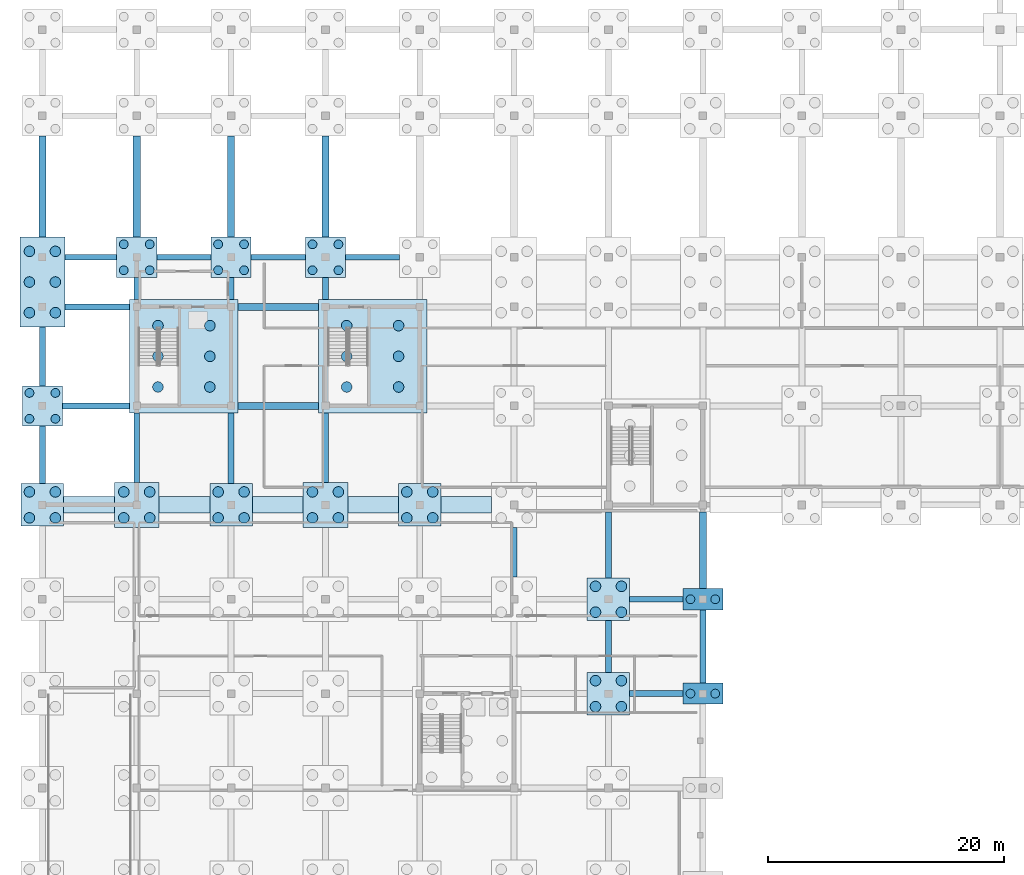
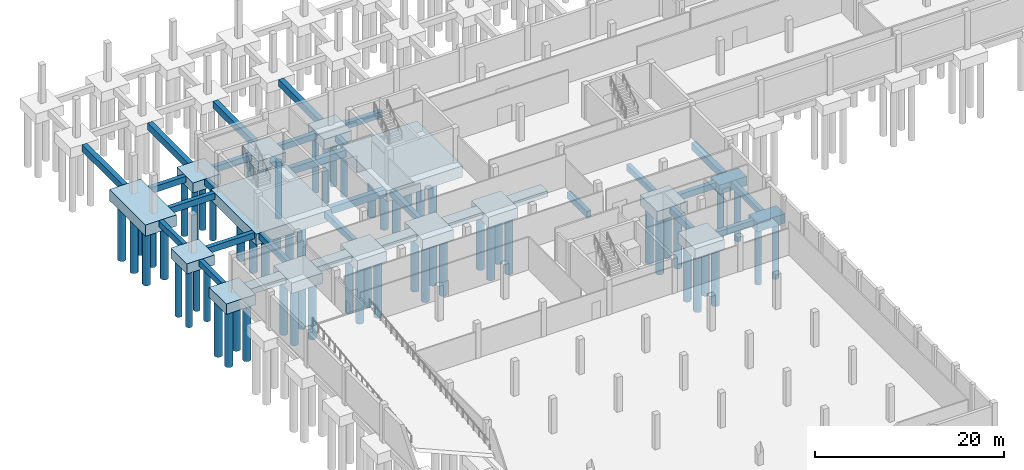
# One storey, part 4 of 22: 66 piles, 48 footings.
"""IFC4 building model written with IfcOpenShell, lengths in metres."""

from ifc_helpers import new_model, si_unit, direction, frame, origin, origin_2d, place, context, subcontext, project, spatial, polyline, rectangle, circle, outline, extrude, material, material_profile, profile_set, type_object, element, save


model = new_model("IFC4")

# Units and contexts
model_context = context("Model", 3, precision=1e-05, world=origin(), true_north=direction((0.0, 1.0)))
body_context = subcontext(model_context, "Body", "Model", "MODEL_VIEW")
ifc_project = project(units=[si_unit("LENGTHUNIT", "METRE"), si_unit("AREAUNIT", "SQUARE_METRE"), si_unit("VOLUMEUNIT", "CUBIC_METRE"), si_unit("PLANEANGLEUNIT", "RADIAN"), si_unit("MASSUNIT", "GRAM", prefix="KILO")], contexts=[model_context])

# Site, building, storey
site_placement = place(None, origin())
site = spatial("IfcSite", under=ifc_project, at=site_placement, CompositionType="ELEMENT")
building_placement = place(site_placement, origin())
building = spatial("IfcBuilding", under=site, at=building_placement, Name="Vharandega Faculty of Natural Sciences", CompositionType="ELEMENT")
storey_placement = place(building_placement, frame((0.0, 0.0, -4.5)))
storey = spatial("IfcBuildingStorey", under=building, at=storey_placement, Name="B01", CompositionType="ELEMENT", Elevation=-4.5)

# Piles
ifc_material_1 = material(Name="Concrete C35/45", Category="concrete")
ifc_material_profile_1 = material_profile(ifc_material_1, circle(Radius=0.375, at=origin_2d()), Name="PILE 750")
ifc_profile_set_1 = profile_set([ifc_material_profile_1], Name="Concrete C35/45")
pile_type_1 = type_object("IfcPileType", Name="Bored Pile 750", PredefinedType="BORED", material=ifc_profile_set_1)
for number, where, z_axis, x_axis, name in (
    (1, (-1.10009765625, 71.300048828125, -1.64990234375), (0.0, 0.0, -1.0), (1.0, 0.0, 0.0), "Bored Pile PL-1K-01"),
    (2, (1.10009765625, 71.300048828125, -1.64990234375), (0.0, 0.0, -1.0), (1.0, 0.0, 0.0), "Bored Pile PL-1K-02"),
    (3, (1.10009765625, 73.5, -1.64990234375), (0.0, 0.0, -1.0), (1.0, 0.0, 0.0), "Bored Pile PL-1K-03"),
    (4, (-1.10009765625, 73.5, -1.64990234375), (0.0, 0.0, -1.0), (1.0, 0.0, 0.0), "Bored Pile PL-1K-04"),
    (5, (6.89990234375, 83.89990234375, -1.64990234375), (0.0, 0.0, -1.0), (1.0, 0.0, 0.0), "Bored Pile PL-2M-01"),
    (6, (9.10009765625, 83.89990234375, -1.64990234375), (0.0, 0.0, -1.0), (1.0, 0.0, 0.0), "Bored Pile PL-2M-02"),
    (7, (9.10009765625, 86.10009765625, -1.64990234375), (0.0, 0.0, -1.0), (1.0, 0.0, 0.0), "Bored Pile PL-2M-03"),
    (8, (6.89990234375, 86.10009765625, -1.64990234375), (0.0, 0.0, -1.0), (1.0, 0.0, 0.0), "Bored Pile PL-2M-04"),
    (9, (14.89990234375, 83.89990234375, -1.64990234375), (0.0, 0.0, -1.0), (1.0, 0.0, 0.0), "Bored Pile PL-3M-01"),
    (10, (17.10009765625, 83.89990234375, -1.64990234375), (0.0, 0.0, -1.0), (1.0, 0.0, 0.0), "Bored Pile PL-3M-02"),
    (11, (17.10009765625, 86.10009765625, -1.64990234375), (0.0, 0.0, -1.0), (1.0, 0.0, 0.0), "Bored Pile PL-3M-03"),
    (12, (14.89990234375, 86.10009765625, -1.64990234375), (0.0, 0.0, -1.0), (1.0, 0.0, 0.0), "Bored Pile PL-3M-04"),
    (13, (22.89990234375, 83.89990234375, -1.64990234375), (0.0, 0.0, -1.0), (1.0, 0.0, 0.0), "Bored Pile PL-4M-01"),
    (14, (25.10009765625, 83.89990234375, -1.64990234375), (0.0, 0.0, -1.0), (1.0, 0.0, 0.0), "Bored Pile PL-4M-02"),
    (15, (25.10009765625, 86.10009765625, -1.64990234375), (0.0, 0.0, -1.0), (1.0, 0.0, 0.0), "Bored Pile PL-4M-03"),
    (16, (22.89990234375, 86.10009765625, -1.64990234375), (0.0, 0.0, -1.0), (1.0, 0.0, 0.0), "Bored Pile PL-4M-04"),
):
    element("IfcPile", number, at=place(storey_placement, frame(where, z_axis=z_axis, x_axis=x_axis)), inside=storey, type_object=pile_type_1, Name=name, PredefinedType="BORED", context=body_context, shape_type="SweptSolid", body=[
        extrude(circle(Radius=0.375, at=origin_2d()), origin(), (0.0, 0.0, 1.0), 7.35009765625),
    ])
for number, where, z_axis, x_axis, name in (
    (17, (54.949951171875, 48.0, -1.550048828125), (0.0, 0.0, -1.0), (1.0, 0.0, 0.0), "Bored Pile PL-8G-01"),
    (18, (57.050048828125, 48.0, -1.550048828125), (0.0, 0.0, -1.0), (1.0, 0.0, 0.0), "Bored Pile PL-8G-02"),
    (19, (54.949951171875, 56.0, -1.550048828125), (0.0, 0.0, -1.0), (1.0, 0.0, 0.0), "Bored Pile PL-8H-01"),
    (20, (57.050048828125, 56.0, -1.550048828125), (0.0, 0.0, -1.0), (1.0, 0.0, 0.0), "Bored Pile PL-8H-02"),
):
    element("IfcPile", number, at=place(storey_placement, frame(where, z_axis=z_axis, x_axis=x_axis)), inside=storey, type_object=pile_type_1, Name=name, PredefinedType="BORED", context=body_context, shape_type="SweptSolid", body=[
        extrude(circle(Radius=0.375, at=origin_2d()), origin(), (0.0, 0.0, 1.0), 7.449951171875),
    ])
ifc_material_2 = material(Name="Concrete C35/45", Category="concrete")
ifc_material_profile_2 = material_profile(ifc_material_2, circle(Radius=0.449951171875, at=origin_2d()), Name="PILE 900")
ifc_profile_set_2 = profile_set([ifc_material_profile_2], Name="Concrete C35/45")
pile_type_2 = type_object("IfcPileType", Name="Bored Pile 900", PredefinedType="BORED", material=ifc_profile_set_2)
for number, where, z_axis, x_axis, name in (
    (21, (9.800048828125, 74.0, -1.800048828125), (0.0, 0.0, -1.0), (1.0, 0.0, 0.0), "Bored Pile PL-C4-01"),
    (22, (9.800048828125, 76.60009765625, -1.800048828125), (0.0, 0.0, -1.0), (1.0, 0.0, 0.0), "Bored Pile PL-C4-02"),
    (23, (9.800048828125, 79.199951171875, -1.800048828125), (0.0, 0.0, -1.0), (1.0, 0.0, 0.0), "Bored Pile PL-C4-03"),
    (24, (14.199951171875, 74.0, -1.800048828125), (0.0, 0.0, -1.0), (1.0, 0.0, 0.0), "Bored Pile PL-C4-04"),
    (25, (14.199951171875, 76.60009765625, -1.800048828125), (0.0, 0.0, -1.0), (1.0, 0.0, 0.0), "Bored Pile PL-C4-05"),
    (26, (14.199951171875, 79.199951171875, -1.800048828125), (0.0, 0.0, -1.0), (1.0, 0.0, 0.0), "Bored Pile PL-C4-06"),
    (27, (25.800048828125, 74.0, -1.800048828125), (0.0, 0.0, -1.0), (1.0, 0.0, 0.0), "Bored Pile PL-C6-01"),
    (28, (25.800048828125, 76.60009765625, -1.800048828125), (0.0, 0.0, -1.0), (1.0, 0.0, 0.0), "Bored Pile PL-C6-02"),
    (29, (25.800048828125, 79.199951171875, -1.800048828125), (0.0, 0.0, -1.0), (1.0, 0.0, 0.0), "Bored Pile PL-C6-03"),
    (30, (30.199951171875, 74.0, -1.800048828125), (0.0, 0.0, -1.0), (1.0, 0.0, 0.0), "Bored Pile PL-C6-04"),
    (31, (30.199951171875, 76.60009765625, -1.800048828125), (0.0, 0.0, -1.0), (1.0, 0.0, 0.0), "Bored Pile PL-C6-05"),
    (32, (30.199951171875, 79.199951171875, -1.800048828125), (0.0, 0.0, -1.0), (1.0, 0.0, 0.0), "Bored Pile PL-C6-06"),
    (33, (-1.10009765625, 80.300048828125, -1.800048828125), (0.0, 0.0, -1.0), (1.0, 0.0, 0.0), "Bored Pile PL-1LM-01"),
    (34, (-1.10009765625, 82.89990234375, -1.800048828125), (0.0, 0.0, -1.0), (1.0, 0.0, 0.0), "Bored Pile PL-1LM-02"),
    (35, (-1.10009765625, 85.5, -1.800048828125), (0.0, 0.0, -1.0), (1.0, 0.0, 0.0), "Bored Pile PL-1LM-03"),
    (36, (1.10009765625, 80.300048828125, -1.800048828125), (0.0, 0.0, -1.0), (1.0, 0.0, 0.0), "Bored Pile PL-1LM-04"),
    (37, (1.10009765625, 82.89990234375, -1.800048828125), (0.0, 0.0, -1.0), (1.0, 0.0, 0.0), "Bored Pile PL-1LM-05"),
    (38, (1.10009765625, 85.5, -1.800048828125), (0.0, 0.0, -1.0), (1.0, 0.0, 0.0), "Bored Pile PL-1LM-06"),
):
    element("IfcPile", number, at=place(storey_placement, frame(where, z_axis=z_axis, x_axis=x_axis)), inside=storey, type_object=pile_type_2, Name=name, PredefinedType="BORED", context=body_context, shape_type="SweptSolid", body=[
        extrude(circle(Radius=0.449951171875, at=origin_2d()), origin(), (0.0, 0.0, 1.0), 7.199951171875),
    ])
for number, where, z_axis, x_axis, name in (
    (39, (-1.10009765625, 62.89990234375, -1.669921875), (0.0, 0.0, -1.0), (1.0, 0.0, 0.0), "Bored Pile PL-1J-01"),
    (40, (1.10009765625, 62.89990234375, -1.669921875), (0.0, 0.0, -1.0), (1.0, 0.0, 0.0), "Bored Pile PL-1J-02"),
    (41, (1.10009765625, 65.10009765625, -1.669921875), (0.0, 0.0, -1.0), (1.0, 0.0, 0.0), "Bored Pile PL-1J-03"),
    (42, (-1.10009765625, 65.10009765625, -1.669921875), (0.0, 0.0, -1.0), (1.0, 0.0, 0.0), "Bored Pile PL-1J-04"),
):
    element("IfcPile", number, at=place(storey_placement, frame(where, z_axis=z_axis, x_axis=x_axis)), inside=storey, type_object=pile_type_2, Name=name, PredefinedType="BORED", context=body_context, shape_type="SweptSolid", body=[
        extrude(circle(Radius=0.449951171875, at=origin_2d()), origin(), (0.0, 0.0, 1.0), 7.330078125),
    ])
for number, where, z_axis, x_axis, name in (
    (43, (6.89990234375, 62.89990234375, -1.699951171875), (0.0, 0.0, -1.0), (1.0, 0.0, 0.0), "Bored Pile PL-2J-01"),
    (44, (9.10009765625, 62.89990234375, -1.699951171875), (0.0, 0.0, -1.0), (1.0, 0.0, 0.0), "Bored Pile PL-2J-02"),
    (45, (9.10009765625, 65.10009765625, -1.699951171875), (0.0, 0.0, -1.0), (1.0, 0.0, 0.0), "Bored Pile PL-2J-03"),
    (46, (6.89990234375, 65.10009765625, -1.699951171875), (0.0, 0.0, -1.0), (1.0, 0.0, 0.0), "Bored Pile PL-2J-04"),
):
    element("IfcPile", number, at=place(storey_placement, frame(where, z_axis=z_axis, x_axis=x_axis)), inside=storey, type_object=pile_type_2, Name=name, PredefinedType="BORED", context=body_context, shape_type="SweptSolid", body=[
        extrude(circle(Radius=0.449951171875, at=origin_2d()), origin(), (0.0, 0.0, 1.0), 7.300048828125),
    ])
for number, where, z_axis, x_axis, name in (
    (47, (14.89990234375, 62.89990234375, -1.669921875), (0.0, 0.0, -1.0), (1.0, 0.0, 0.0), "Bored Pile PL-3J-01"),
    (48, (17.10009765625, 62.89990234375, -1.669921875), (0.0, 0.0, -1.0), (1.0, 0.0, 0.0), "Bored Pile PL-3J-02"),
    (49, (17.10009765625, 65.10009765625, -1.669921875), (0.0, 0.0, -1.0), (1.0, 0.0, 0.0), "Bored Pile PL-3J-03"),
    (50, (14.89990234375, 65.10009765625, -1.669921875), (0.0, 0.0, -1.0), (1.0, 0.0, 0.0), "Bored Pile PL-3J-04"),
):
    element("IfcPile", number, at=place(storey_placement, frame(where, z_axis=z_axis, x_axis=x_axis)), inside=storey, type_object=pile_type_2, Name=name, PredefinedType="BORED", context=body_context, shape_type="SweptSolid", body=[
        extrude(circle(Radius=0.449951171875, at=origin_2d()), origin(), (0.0, 0.0, 1.0), 7.330078125),
    ])
for number, where, z_axis, x_axis, name in (
    (51, (22.89990234375, 62.89990234375, -1.699951171875), (0.0, 0.0, -1.0), (1.0, 0.0, 0.0), "Bored Pile PL-4J-01"),
    (52, (25.10009765625, 62.89990234375, -1.699951171875), (0.0, 0.0, -1.0), (1.0, 0.0, 0.0), "Bored Pile PL-4J-02"),
    (53, (25.10009765625, 65.10009765625, -1.699951171875), (0.0, 0.0, -1.0), (1.0, 0.0, 0.0), "Bored Pile PL-4J-03"),
    (54, (22.89990234375, 65.10009765625, -1.699951171875), (0.0, 0.0, -1.0), (1.0, 0.0, 0.0), "Bored Pile PL-4J-04"),
):
    element("IfcPile", number, at=place(storey_placement, frame(where, z_axis=z_axis, x_axis=x_axis)), inside=storey, type_object=pile_type_2, Name=name, PredefinedType="BORED", context=body_context, shape_type="SweptSolid", body=[
        extrude(circle(Radius=0.449951171875, at=origin_2d()), origin(), (0.0, 0.0, 1.0), 7.300048828125),
    ])
for number, where, z_axis, x_axis, name in (
    (55, (30.89990234375, 62.89990234375, -1.669921875), (0.0, 0.0, -1.0), (1.0, 0.0, 0.0), "Bored Pile PL-5J-01"),
    (56, (33.10009765625, 62.89990234375, -1.669921875), (0.0, 0.0, -1.0), (1.0, 0.0, 0.0), "Bored Pile PL-5J-02"),
    (57, (33.10009765625, 65.10009765625, -1.669921875), (0.0, 0.0, -1.0), (1.0, 0.0, 0.0), "Bored Pile PL-5J-03"),
    (58, (30.89990234375, 65.10009765625, -1.669921875), (0.0, 0.0, -1.0), (1.0, 0.0, 0.0), "Bored Pile PL-5J-04"),
    (59, (46.89990234375, 46.89990234375, -1.669921875), (0.0, 0.0, -1.0), (1.0, 0.0, 0.0), "Bored Pile PL-7G-01"),
    (60, (49.10009765625, 46.89990234375, -1.669921875), (0.0, 0.0, -1.0), (1.0, 0.0, 0.0), "Bored Pile PL-7G-02"),
    (61, (49.10009765625, 49.10009765625, -1.669921875), (0.0, 0.0, -1.0), (1.0, 0.0, 0.0), "Bored Pile PL-7G-03"),
    (62, (46.89990234375, 49.10009765625, -1.669921875), (0.0, 0.0, -1.0), (1.0, 0.0, 0.0), "Bored Pile PL-7G-04"),
    (63, (46.89990234375, 54.89990234375, -1.669921875), (0.0, 0.0, -1.0), (1.0, 0.0, 0.0), "Bored Pile PL-7H-01"),
    (64, (49.10009765625, 54.89990234375, -1.669921875), (0.0, 0.0, -1.0), (1.0, 0.0, 0.0), "Bored Pile PL-7H-02"),
    (65, (49.10009765625, 57.10009765625, -1.669921875), (0.0, 0.0, -1.0), (1.0, 0.0, 0.0), "Bored Pile PL-7H-03"),
    (66, (46.89990234375, 57.10009765625, -1.669921875), (0.0, 0.0, -1.0), (1.0, 0.0, 0.0), "Bored Pile PL-7H-04"),
):
    element("IfcPile", number, at=place(storey_placement, frame(where, z_axis=z_axis, x_axis=x_axis)), inside=storey, type_object=pile_type_2, Name=name, PredefinedType="BORED", context=body_context, shape_type="SweptSolid", body=[
        extrude(circle(Radius=0.449951171875, at=origin_2d()), origin(), (0.0, 0.0, 1.0), 7.330078125),
    ])

# Footings
ifc_material_3 = material(Name="Concrete C35/45", Category="concrete")
footing_type_1 = type_object("IfcFootingType", Name="Ground Tie Beam 500x800", PredefinedType="FOOTING_BEAM", material=ifc_material_3)
footing_1_placement = place(storey_placement, frame((0.0, 0.0, -1.25)))
element("IfcFooting", 67, at=footing_1_placement, inside=storey, type_object=footing_type_1, Name="Substructure Tie FND-GB-X034", PredefinedType="FOOTING_BEAM", context=body_context, shape_type="SweptSolid", body=[
    extrude(outline(polyline([(49.800048828125, 47.75), (54.300048828125, 47.75), (54.300048828125, 48.25), (49.800048828125, 48.25), (49.800048828125, 47.75)])), origin(), (0.0, 0.0, 1.0), 0.800048828125),
])
footing_2_placement = place(storey_placement, frame((0.0, 0.0, -1.25)))
element("IfcFooting", 68, at=footing_2_placement, inside=storey, type_object=footing_type_1, Name="Substructure Tie FND-GB-X041", PredefinedType="FOOTING_BEAM", context=body_context, shape_type="SweptSolid", body=[
    extrude(outline(polyline([(49.800048828125, 55.75), (54.300048828125, 55.75), (54.300048828125, 56.25), (49.800048828125, 56.25), (49.800048828125, 55.75)])), origin(), (0.0, 0.0, 1.0), 0.800048828125),
])
footing_3_placement = place(storey_placement, frame((0.0, 0.0, -1.25)))
element("IfcFooting", 69, at=footing_3_placement, inside=storey, type_object=footing_type_1, Name="Substructure Tie FND-GB-X052", PredefinedType="FOOTING_BEAM", context=body_context, shape_type="SweptSolid", body=[
    extrude(outline(polyline([(1.699951171875, 72.14990234375), (7.39990234375, 72.14990234375), (7.39990234375, 72.64990234375), (1.699951171875, 72.64990234375), (1.699951171875, 72.14990234375)])), origin(), (0.0, 0.0, 1.0), 0.800048828125),
])
footing_4_placement = place(storey_placement, frame((0.0, 0.0, -1.25)))
element("IfcFooting", 70, at=footing_4_placement, inside=storey, type_object=footing_type_1, Name="Substructure Tie FND-GB-X064", PredefinedType="FOOTING_BEAM", context=body_context, shape_type="SweptSolid", body=[
    extrude(outline(polyline([(1.89990234375, 80.550048828125), (7.39990234375, 80.550048828125), (7.39990234375, 81.050048828125), (1.89990234375, 81.050048828125), (1.89990234375, 80.550048828125)])), origin(), (0.0, 0.0, 1.0), 0.800048828125),
])
footing_5_placement = place(storey_placement, frame((0.0, 0.0, -1.25)))
element("IfcFooting", 71, at=footing_5_placement, inside=storey, type_object=footing_type_1, Name="Substructure Tie FND-GB-X079", PredefinedType="FOOTING_BEAM", context=body_context, shape_type="SweptSolid", body=[
    extrude(outline(polyline([(1.89990234375, 84.75), (6.300048828125, 84.75), (6.300048828125, 85.25), (1.89990234375, 85.25), (1.89990234375, 84.75)])), origin(), (0.0, 0.0, 1.0), 0.800048828125),
])
footing_6_placement = place(storey_placement, frame((0.0, 0.0, -1.25)))
element("IfcFooting", 72, at=footing_6_placement, inside=storey, type_object=footing_type_1, Name="Substructure Tie FND-GB-X080", PredefinedType="FOOTING_BEAM", context=body_context, shape_type="SweptSolid", body=[
    extrude(outline(polyline([(9.699951171875, 84.75), (14.300048828125, 84.75), (14.300048828125, 85.25), (9.699951171875, 85.25), (9.699951171875, 84.75)])), origin(), (0.0, 0.0, 1.0), 0.800048828125),
])
footing_7_placement = place(storey_placement, frame((0.0, 0.0, -1.25)))
element("IfcFooting", 73, at=footing_7_placement, inside=storey, type_object=footing_type_1, Name="Substructure Tie FND-GB-X081", PredefinedType="FOOTING_BEAM", context=body_context, shape_type="SweptSolid", body=[
    extrude(outline(polyline([(17.699951171875, 84.75), (22.300048828125, 84.75), (22.300048828125, 85.25), (17.699951171875, 85.25), (17.699951171875, 84.75)])), origin(), (0.0, 0.0, 1.0), 0.800048828125),
])
footing_8_placement = place(storey_placement, frame((0.0, 0.0, -1.25)))
element("IfcFooting", 74, at=footing_8_placement, inside=storey, type_object=footing_type_1, Name="Substructure Tie FND-GB-X082", PredefinedType="FOOTING_BEAM", context=body_context, shape_type="SweptSolid", body=[
    extrude(outline(polyline([(25.699951171875, 84.75), (30.300048828125, 84.75), (30.300048828125, 85.25), (25.699951171875, 85.25), (25.699951171875, 84.75)])), origin(), (0.0, 0.0, 1.0), 0.800048828125),
])
footing_9_placement = place(storey_placement, frame((0.0, 0.0, -1.25)))
element("IfcFooting", 75, at=footing_9_placement, inside=storey, type_object=footing_type_1, Name="Substructure Tie FND-GB-Y134", PredefinedType="FOOTING_BEAM", context=body_context, shape_type="SweptSolid", body=[
    extrude(outline(polyline([(-0.25, 65.800048828125), (0.25, 65.800048828125), (0.25, 70.699951171875), (-0.25, 70.699951171875), (-0.25, 65.800048828125)])), origin(), (0.0, 0.0, 1.0), 0.800048828125),
])
footing_10_placement = place(storey_placement, frame((0.0, 0.0, -1.25)))
element("IfcFooting", 76, at=footing_10_placement, inside=storey, type_object=footing_type_1, Name="Substructure Tie FND-GB-Y135", PredefinedType="FOOTING_BEAM", context=body_context, shape_type="SweptSolid", body=[
    extrude(outline(polyline([(-0.25, 74.10009765625), (0.25, 74.10009765625), (0.25, 79.10009765625), (-0.25, 79.10009765625), (-0.25, 74.10009765625)])), origin(), (0.0, 0.0, 1.0), 0.800048828125),
])
footing_11_placement = place(storey_placement, frame((0.0, 0.0, -1.25)))
element("IfcFooting", 77, at=footing_11_placement, inside=storey, type_object=footing_type_1, Name="Substructure Tie FND-GB-Y146", PredefinedType="FOOTING_BEAM", context=body_context, shape_type="SweptSolid", body=[
    extrude(outline(polyline([(7.75, 65.89990234375), (8.25, 65.89990234375), (8.25, 71.800048828125), (7.75, 71.800048828125), (7.75, 65.89990234375)])), origin(), (0.0, 0.0, 1.0), 0.800048828125),
])
footing_12_placement = place(storey_placement, frame((0.0, 0.0, -1.25)))
element("IfcFooting", 78, at=footing_12_placement, inside=storey, type_object=footing_type_1, Name="Substructure Tie FND-GB-Y147", PredefinedType="FOOTING_BEAM", context=body_context, shape_type="SweptSolid", body=[
    extrude(outline(polyline([(7.75, 81.39990234375), (8.25, 81.39990234375), (8.25, 83.300048828125), (7.75, 83.300048828125), (7.75, 81.39990234375)])), origin(), (0.0, 0.0, 1.0), 0.800048828125),
])
footing_13_placement = place(storey_placement, frame((0.0, 0.0, -1.25)))
element("IfcFooting", 79, at=footing_13_placement, inside=storey, type_object=footing_type_1, Name="Substructure Tie FND-GB-Y158", PredefinedType="FOOTING_BEAM", context=body_context, shape_type="SweptSolid", body=[
    extrude(outline(polyline([(15.75, 65.800048828125), (16.25, 65.800048828125), (16.25, 71.800048828125), (15.75, 71.800048828125), (15.75, 65.800048828125)])), origin(), (0.0, 0.0, 1.0), 0.800048828125),
])
footing_14_placement = place(storey_placement, frame((0.0, 0.0, -1.25)))
element("IfcFooting", 80, at=footing_14_placement, inside=storey, type_object=footing_type_1, Name="Substructure Tie FND-GB-Y159", PredefinedType="FOOTING_BEAM", context=body_context, shape_type="SweptSolid", body=[
    extrude(outline(polyline([(15.75, 81.39990234375), (16.25, 81.39990234375), (16.25, 83.300048828125), (15.75, 83.300048828125), (15.75, 81.39990234375)])), origin(), (0.0, 0.0, 1.0), 0.800048828125),
])
footing_15_placement = place(storey_placement, frame((0.0, 0.0, -1.25)))
element("IfcFooting", 81, at=footing_15_placement, inside=storey, type_object=footing_type_1, Name="Substructure Tie FND-GB-Y170", PredefinedType="FOOTING_BEAM", context=body_context, shape_type="SweptSolid", body=[
    extrude(outline(polyline([(23.75, 65.89990234375), (24.25, 65.89990234375), (24.25, 71.800048828125), (23.75, 71.800048828125), (23.75, 65.89990234375)])), origin(), (0.0, 0.0, 1.0), 0.800048828125),
])
footing_16_placement = place(storey_placement, frame((0.0, 0.0, -1.25)))
element("IfcFooting", 82, at=footing_16_placement, inside=storey, type_object=footing_type_1, Name="Substructure Tie FND-GB-Y171", PredefinedType="FOOTING_BEAM", context=body_context, shape_type="SweptSolid", body=[
    extrude(outline(polyline([(23.75, 81.39990234375), (24.25, 81.39990234375), (24.25, 83.300048828125), (23.75, 83.300048828125), (23.75, 81.39990234375)])), origin(), (0.0, 0.0, 1.0), 0.800048828125),
])
footing_17_placement = place(storey_placement, frame((0.0, 0.0, -1.25)))
element("IfcFooting", 83, at=footing_17_placement, inside=storey, type_object=footing_type_1, Name="Substructure Tie FND-GB-Y191", PredefinedType="FOOTING_BEAM", context=body_context, shape_type="SweptSolid", body=[
    extrude(outline(polyline([(39.75, 57.89990234375), (40.25, 57.89990234375), (40.25, 62.10009765625), (39.75, 62.10009765625), (39.75, 57.89990234375)])), origin(), (0.0, 0.0, 1.0), 0.800048828125),
])
footing_18_placement = place(storey_placement, frame((0.0, 0.0, -1.25)))
element("IfcFooting", 84, at=footing_18_placement, inside=storey, type_object=footing_type_1, Name="Substructure Tie FND-GB-Y202", PredefinedType="FOOTING_BEAM", context=body_context, shape_type="SweptSolid", body=[
    extrude(outline(polyline([(47.75, 49.800048828125), (48.25, 49.800048828125), (48.25, 54.199951171875), (47.75, 54.199951171875), (47.75, 49.800048828125)])), origin(), (0.0, 0.0, 1.0), 0.800048828125),
])
footing_19_placement = place(storey_placement, frame((0.0, 0.0, -1.25)))
element("IfcFooting", 85, at=footing_19_placement, inside=storey, type_object=footing_type_1, Name="Substructure Tie FND-GB-Y203", PredefinedType="FOOTING_BEAM", context=body_context, shape_type="SweptSolid", body=[
    extrude(outline(polyline([(47.75, 57.800048828125), (48.25, 57.800048828125), (48.25, 63.39990234375), (47.75, 63.39990234375), (47.75, 57.800048828125)])), origin(), (0.0, 0.0, 1.0), 0.800048828125),
])
footing_20_placement = place(storey_placement, frame((0.0, 0.0, -1.25)))
element("IfcFooting", 86, at=footing_20_placement, inside=storey, type_object=footing_type_1, Name="Substructure Tie FND-GB-Y213", PredefinedType="FOOTING_BEAM", context=body_context, shape_type="SweptSolid", body=[
    extrude(outline(polyline([(55.75, 48.89990234375), (56.25, 48.89990234375), (56.25, 55.10009765625), (55.75, 55.10009765625), (55.75, 48.89990234375)])), origin(), (0.0, 0.0, 1.0), 0.800048828125),
])
ifc_material_4 = material(Name="Concrete C35/45", Category="concrete")
footing_type_2 = type_object("IfcFootingType", Name="Ground Tie Beam 600x900", PredefinedType="FOOTING_BEAM", material=ifc_material_4)
footing_21_placement = place(storey_placement, frame((0.0, 0.0, -1.35009765625)))
element("IfcFooting", 87, at=footing_21_placement, inside=storey, type_object=footing_type_2, Name="Substructure Tie FND-GB-X053", PredefinedType="FOOTING_BEAM", context=body_context, shape_type="SweptSolid", body=[
    extrude(outline(polyline([(16.60009765625, 72.10009765625), (23.39990234375, 72.10009765625), (23.39990234375, 72.699951171875), (16.60009765625, 72.699951171875), (16.60009765625, 72.10009765625)])), origin(), (0.0, 0.0, 1.0), 0.900146484375),
])
footing_22_placement = place(storey_placement, frame((0.0, 0.0, -1.35009765625)))
element("IfcFooting", 88, at=footing_22_placement, inside=storey, type_object=footing_type_2, Name="Substructure Tie FND-GB-X065", PredefinedType="FOOTING_BEAM", context=body_context, shape_type="SweptSolid", body=[
    extrude(outline(polyline([(16.60009765625, 80.5), (23.39990234375, 80.5), (23.39990234375, 81.10009765625), (16.60009765625, 81.10009765625), (16.60009765625, 80.5)])), origin(), (0.0, 0.0, 1.0), 0.900146484375),
])
footing_23_placement = place(storey_placement, frame((0.0, 0.0, -1.35009765625)))
element("IfcFooting", 89, at=footing_23_placement, inside=storey, type_object=footing_type_2, Name="Substructure Tie FND-GB-Y136", PredefinedType="FOOTING_BEAM", context=body_context, shape_type="SweptSolid", body=[
    extrude(outline(polyline([(-0.300048828125, 86.699951171875), (0.300048828125, 86.699951171875), (0.300048828125, 95.300048828125), (-0.300048828125, 95.300048828125), (-0.300048828125, 86.699951171875)])), origin(), (0.0, 0.0, 1.0), 0.900146484375),
])
footing_24_placement = place(storey_placement, frame((0.0, 0.0, -1.35009765625)))
element("IfcFooting", 90, at=footing_24_placement, inside=storey, type_object=footing_type_2, Name="Substructure Tie FND-GB-Y148", PredefinedType="FOOTING_BEAM", context=body_context, shape_type="SweptSolid", body=[
    extrude(outline(polyline([(7.699951171875, 86.699951171875), (8.300048828125, 86.699951171875), (8.300048828125, 95.300048828125), (7.699951171875, 95.300048828125), (7.699951171875, 86.699951171875)])), origin(), (0.0, 0.0, 1.0), 0.900146484375),
])
footing_25_placement = place(storey_placement, frame((0.0, 0.0, -1.35009765625)))
element("IfcFooting", 91, at=footing_25_placement, inside=storey, type_object=footing_type_2, Name="Substructure Tie FND-GB-Y160", PredefinedType="FOOTING_BEAM", context=body_context, shape_type="SweptSolid", body=[
    extrude(outline(polyline([(15.699951171875, 86.699951171875), (16.300048828125, 86.699951171875), (16.300048828125, 95.300048828125), (15.699951171875, 95.300048828125), (15.699951171875, 86.699951171875)])), origin(), (0.0, 0.0, 1.0), 0.900146484375),
])
footing_26_placement = place(storey_placement, frame((0.0, 0.0, -1.35009765625)))
element("IfcFooting", 92, at=footing_26_placement, inside=storey, type_object=footing_type_2, Name="Substructure Tie FND-GB-Y172", PredefinedType="FOOTING_BEAM", context=body_context, shape_type="SweptSolid", body=[
    extrude(outline(polyline([(23.699951171875, 86.699951171875), (24.300048828125, 86.699951171875), (24.300048828125, 95.300048828125), (23.699951171875, 95.300048828125), (23.699951171875, 86.699951171875)])), origin(), (0.0, 0.0, 1.0), 0.900146484375),
])
footing_27_placement = place(storey_placement, frame((0.0, 0.0, -1.35009765625)))
element("IfcFooting", 93, at=footing_27_placement, inside=storey, type_object=footing_type_2, Name="Substructure Tie FND-GB-Y214", PredefinedType="FOOTING_BEAM", context=body_context, shape_type="SweptSolid", body=[
    extrude(outline(polyline([(55.699951171875, 56.89990234375), (56.300048828125, 56.89990234375), (56.300048828125, 63.39990234375), (55.699951171875, 63.39990234375), (55.699951171875, 56.89990234375)])), origin(), (0.0, 0.0, 1.0), 0.900146484375),
])
ifc_material_5 = material(Name="Concrete C35/45", Category="concrete")
footing_type_3 = type_object("IfcFootingType", Name="Party Wall Strip Footing 1400x750", PredefinedType="STRIP_FOOTING", material=ifc_material_5)
footing_28_placement = place(storey_placement, frame((0.0, 0.0, -1.199951171875)))
element("IfcFooting", 94, at=footing_28_placement, inside=storey, type_object=footing_type_3, Name="Substructure Tie FND-SF-X008", PredefinedType="STRIP_FOOTING", context=body_context, shape_type="SweptSolid", body=[
    extrude(outline(polyline([(1.800048828125, 63.300048828125), (6.10009765625, 63.300048828125), (6.10009765625, 64.699951171875), (1.800048828125, 64.699951171875), (1.800048828125, 63.300048828125)])), origin(), (0.0, 0.0, 1.0), 0.75),
])
footing_29_placement = place(storey_placement, frame((0.0, 0.0, -1.199951171875)))
element("IfcFooting", 95, at=footing_29_placement, inside=storey, type_object=footing_type_3, Name="Substructure Tie FND-SF-X009", PredefinedType="STRIP_FOOTING", context=body_context, shape_type="SweptSolid", body=[
    extrude(outline(polyline([(9.89990234375, 63.300048828125), (14.199951171875, 63.300048828125), (14.199951171875, 64.699951171875), (9.89990234375, 64.699951171875), (9.89990234375, 63.300048828125)])), origin(), (0.0, 0.0, 1.0), 0.75),
])
footing_30_placement = place(storey_placement, frame((0.0, 0.0, -1.199951171875)))
element("IfcFooting", 96, at=footing_30_placement, inside=storey, type_object=footing_type_3, Name="Substructure Tie FND-SF-X010", PredefinedType="STRIP_FOOTING", context=body_context, shape_type="SweptSolid", body=[
    extrude(outline(polyline([(17.800048828125, 63.300048828125), (22.10009765625, 63.300048828125), (22.10009765625, 64.699951171875), (17.800048828125, 64.699951171875), (17.800048828125, 63.300048828125)])), origin(), (0.0, 0.0, 1.0), 0.75),
])
footing_31_placement = place(storey_placement, frame((0.0, 0.0, -1.199951171875)))
element("IfcFooting", 97, at=footing_31_placement, inside=storey, type_object=footing_type_3, Name="Substructure Tie FND-SF-X011", PredefinedType="STRIP_FOOTING", context=body_context, shape_type="SweptSolid", body=[
    extrude(outline(polyline([(25.89990234375, 63.300048828125), (30.199951171875, 63.300048828125), (30.199951171875, 64.699951171875), (25.89990234375, 64.699951171875), (25.89990234375, 63.300048828125)])), origin(), (0.0, 0.0, 1.0), 0.75),
])
footing_32_placement = place(storey_placement, frame((0.0, 0.0, -1.199951171875)))
element("IfcFooting", 98, at=footing_32_placement, inside=storey, type_object=footing_type_3, Name="Substructure Tie FND-SF-X012", PredefinedType="STRIP_FOOTING", context=body_context, shape_type="SweptSolid", body=[
    extrude(outline(polyline([(33.800048828125, 63.300048828125), (38.10009765625, 63.300048828125), (38.10009765625, 64.699951171875), (33.800048828125, 64.699951171875), (33.800048828125, 63.300048828125)])), origin(), (0.0, 0.0, 1.0), 0.75),
])
ifc_material_6 = material(Name="Concrete C35/45", Category="concrete")
footing_type_4 = type_object("IfcFootingType", Name="Pile Cap 2P 3400x1800x1200", PredefinedType="PILE_CAP", material=ifc_material_6)
for number, where, z_axis, x_axis, name in (
    (99, (56.0, 48.0, -1.64990234375), (0.0, 0.0, 1.0), (1.0, 0.0, 0.0), "Pile Cap 8/G"),
    (100, (56.0, 56.0, -1.64990234375), (0.0, 0.0, 1.0), (1.0, 0.0, 0.0), "Pile Cap 8/H"),
):
    element("IfcFooting", number, at=place(storey_placement, frame(where, z_axis=z_axis, x_axis=x_axis)), inside=storey, type_object=footing_type_4, Name=name, PredefinedType="PILE_CAP", context=body_context, shape_type="SweptSolid", body=[
        extrude(rectangle(XDim=3.39990234375, YDim=1.800048828125, at=origin_2d()), origin(), (0.0, 0.0, 1.0), 1.199951171875),
    ])
ifc_material_7 = material(Name="Concrete C35/45", Category="concrete")
footing_type_5 = type_object("IfcFootingType", Name="Pile Cap 4P 3400x3400x1300", PredefinedType="PILE_CAP", material=ifc_material_7)
for number, where, z_axis, x_axis, name in (
    (101, (0.0, 72.39990234375, -1.75), (0.0, 0.0, 1.0), (1.0, 0.0, 0.0), "Pile Cap 1/K"),
    (102, (8.0, 85.0, -1.75), (0.0, 0.0, 1.0), (1.0, 0.0, 0.0), "Pile Cap 2/M"),
    (103, (16.0, 85.0, -1.75), (0.0, 0.0, 1.0), (1.0, 0.0, 0.0), "Pile Cap 3/M"),
    (104, (24.0, 85.0, -1.75), (0.0, 0.0, 1.0), (1.0, 0.0, 0.0), "Pile Cap 4/M"),
):
    element("IfcFooting", number, at=place(storey_placement, frame(where, z_axis=z_axis, x_axis=x_axis)), inside=storey, type_object=footing_type_5, Name=name, PredefinedType="PILE_CAP", context=body_context, shape_type="SweptSolid", body=[
        extrude(rectangle(XDim=3.39990234375, YDim=3.39990234375, at=origin_2d()), origin(), (0.0, 0.0, 1.0), 1.300048828125),
    ])
ifc_material_8 = material(Name="Concrete C35/45", Category="concrete")
footing_type_6 = type_object("IfcFootingType", Name="Pile Cap 4P 3600x3600x1320", PredefinedType="PILE_CAP", material=ifc_material_8)
for number, where, z_axis, x_axis, name in (
    (105, (0.0, 64.0, -1.77001953125), (0.0, 0.0, 1.0), (1.0, 0.0, 0.0), "Pile Cap 1/J"),
    (106, (16.0, 64.0, -1.77001953125), (0.0, 0.0, 1.0), (1.0, 0.0, 0.0), "Pile Cap 3/J"),
    (107, (32.0, 64.0, -1.77001953125), (0.0, 0.0, 1.0), (1.0, 0.0, 0.0), "Pile Cap 5/J"),
    (108, (48.0, 48.0, -1.77001953125), (0.0, 0.0, 1.0), (1.0, 0.0, 0.0), "Pile Cap 7/G"),
    (109, (48.0, 56.0, -1.77001953125), (0.0, 0.0, 1.0), (1.0, 0.0, 0.0), "Pile Cap 7/H"),
):
    element("IfcFooting", number, at=place(storey_placement, frame(where, z_axis=z_axis, x_axis=x_axis)), inside=storey, type_object=footing_type_6, Name=name, PredefinedType="PILE_CAP", context=body_context, shape_type="SweptSolid", body=[
        extrude(rectangle(XDim=3.60009765625, YDim=3.60009765625, at=origin_2d()), origin(), (0.0, 0.0, 1.0), 1.320068359375),
    ])
ifc_material_9 = material(Name="Concrete C35/45", Category="concrete")
footing_type_7 = type_object("IfcFootingType", Name="Pile Cap 4P 3800x3800x1350", PredefinedType="PILE_CAP", material=ifc_material_9)
for number, where, z_axis, x_axis, name in (
    (110, (8.0, 64.0, -1.800048828125), (0.0, 0.0, 1.0), (1.0, 0.0, 0.0), "Pile Cap 2/J"),
    (111, (24.0, 64.0, -1.800048828125), (0.0, 0.0, 1.0), (1.0, 0.0, 0.0), "Pile Cap 4/J"),
):
    element("IfcFooting", number, at=place(storey_placement, frame(where, z_axis=z_axis, x_axis=x_axis)), inside=storey, type_object=footing_type_7, Name=name, PredefinedType="PILE_CAP", context=body_context, shape_type="SweptSolid", body=[
        extrude(rectangle(XDim=3.800048828125, YDim=3.800048828125, at=origin_2d()), origin(), (0.0, 0.0, 1.0), 1.35009765625),
    ])
ifc_material_10 = material(Name="Concrete C35/45", Category="concrete")
footing_type_8 = type_object("IfcFootingType", Name="Pile Cap 6P Combined 3800x7600x1450", PredefinedType="PILE_CAP", material=ifc_material_10)
footing_33_placement = place(storey_placement, frame((0.0, 82.89990234375, -1.89990234375), z_axis=(0.0, 0.0, 1.0), x_axis=(1.0, 0.0, 0.0)))
element("IfcFooting", 112, at=footing_33_placement, inside=storey, type_object=footing_type_8, Name="Combined Pile Cap 1/L-M", PredefinedType="PILE_CAP", context=body_context, shape_type="SweptSolid", body=[
    extrude(rectangle(XDim=3.800048828125, YDim=7.60009765625, at=origin_2d()), origin(), (0.0, 0.0, 1.0), 1.449951171875),
])
ifc_material_11 = material(Name="Concrete C35/45", Category="concrete")
footing_type_9 = type_object("IfcFootingType", Name="Pile Cap 6P Core C4 9200x9600x1450", PredefinedType="PILE_CAP", material=ifc_material_11)
for number, where, z_axis, x_axis, name in (
    (113, (12.0, 76.60009765625, -1.89990234375), (0.0, 0.0, 1.0), (1.0, 0.0, 0.0), "Core Pile Cap C4"),
    (114, (28.0, 76.60009765625, -1.89990234375), (0.0, 0.0, 1.0), (1.0, 0.0, 0.0), "Core Pile Cap C6"),
):
    element("IfcFooting", number, at=place(storey_placement, frame(where, z_axis=z_axis, x_axis=x_axis)), inside=storey, type_object=footing_type_9, Name=name, PredefinedType="PILE_CAP", context=body_context, shape_type="SweptSolid", body=[
        extrude(rectangle(XDim=9.199951171875, YDim=9.60009765625, at=origin_2d()), origin(), (0.0, 0.0, 1.0), 1.449951171875),
    ])

save(model, "model.ifc")
